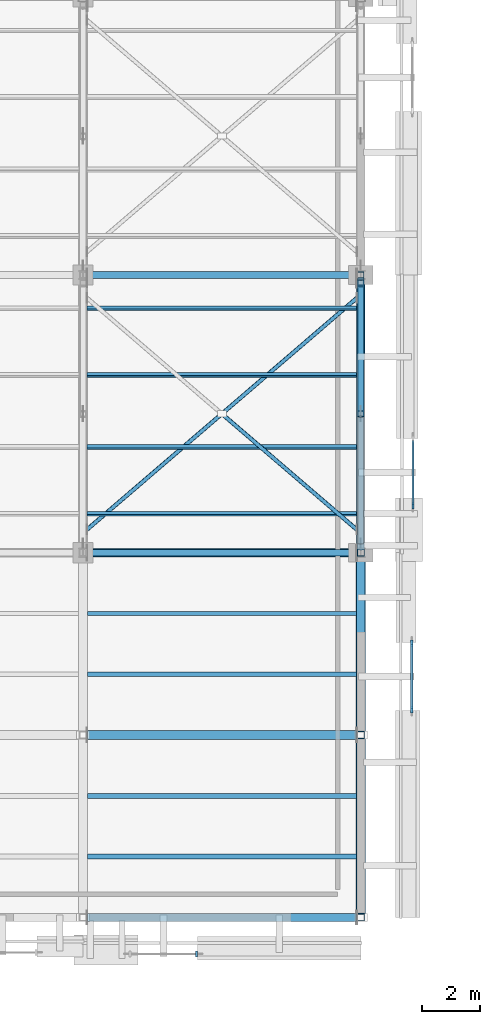
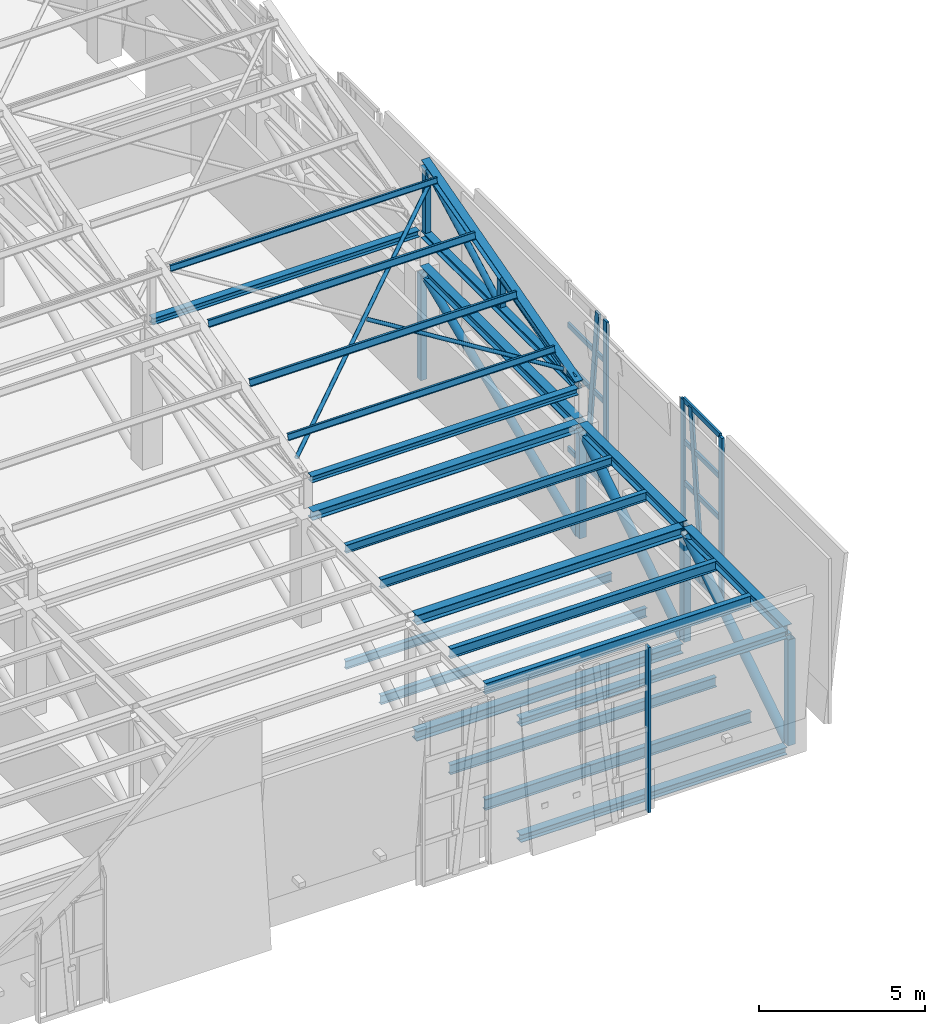
# One storey, part 19 of 71: 37 members, 15 beams, 3 elements without a shape of their own.
"""IFC4 building model written with IfcOpenShell, lengths in metres."""

from ifc_helpers import new_model, si_unit, direction, frame, origin, origin_2d, place, context, subcontext, project, spatial, rectangle, hollow_rectangle, hollow_circle, i_section, extrude, material, layer, layer_set, material_profile, profile_set, type_object, element, aggregate, save


model = new_model("IFC4")

# Units and contexts
model_context = context("Model", 3, precision=1e-05, world=origin(), true_north=direction((0.0, 1.0)))
body_context = subcontext(model_context, "Body", "Model", "MODEL_VIEW")
ifc_project = project(units=[si_unit("LENGTHUNIT", "METRE"), si_unit("AREAUNIT", "SQUARE_METRE"), si_unit("VOLUMEUNIT", "CUBIC_METRE"), si_unit("PLANEANGLEUNIT", "RADIAN"), si_unit("MASSUNIT", "GRAM", prefix="KILO")], contexts=[model_context])

# Site, building, storey
site_placement = place(None, origin())
site = spatial("IfcSite", under=ifc_project, at=site_placement, CompositionType="ELEMENT")
building_placement = place(site_placement, origin())
building = spatial("IfcBuilding", under=site, at=building_placement, Name="Bempovik Park Faculty of Sciences", CompositionType="ELEMENT")
storey_placement = place(building_placement, frame((0.0, 0.0, 14.10009765625)))
storey = spatial("IfcBuildingStorey", under=building, at=storey_placement, Name="L03", CompositionType="ELEMENT", Elevation=14.10009765625)

# Beams
ifc_material_1 = material(Name="Steel S355", Category="steel")
ifc_material_profile_1 = material_profile(ifc_material_1, i_section(OverallWidth=0.300048828125, OverallDepth=0.320068359375, WebThickness=0.011474609375, FlangeThickness=0.0205078125, at=origin_2d()), Name="HEB 320")
ifc_profile_set_1 = profile_set([ifc_material_profile_1], Name="Steel S355")
beam_type_1 = type_object("IfcBeamType", Name="B-018 HEB 320", PredefinedType="BEAM", material=ifc_profile_set_1)
beam_placement = place(storey_placement, frame((108.156005859375, 19.800048828125, 3.81982421875), z_axis=(1.0, 0.0, 0.0), x_axis=(0.0, 1.0, 0.0)))
element("IfcBeam", 1, at=beam_placement, inside=storey, type_object=beam_type_1, Name="Cantilever Collector Beam APR (108.0-117.6, y=19.8)", PredefinedType="BEAM", context=body_context, shape_type="SweptSolid", body=[
    extrude(i_section(OverallWidth=0.300048828125, OverallDepth=0.320068359375, WebThickness=0.011474609375, FlangeThickness=0.0205078125, at=origin_2d()), origin(), (0.0, 0.0, 1.0), 9.2880859375),
])
ifc_material_profile_2 = material_profile(ifc_material_1, i_section(OverallWidth=0.239990234375, OverallDepth=0.239990234375, WebThickness=0.010009765625, FlangeThickness=0.01708984375, at=origin_2d()), Name="HEB 240")
ifc_profile_set_2 = profile_set([ifc_material_profile_2], Name="Steel S355")
beam_type_2 = type_object("IfcBeamType", Name="B-042 HEB 240", PredefinedType="BEAM", material=ifc_profile_set_2)
for number, where, z_axis, x_axis, name in (
    (2, (108.14990234375, 19.800048828125, 5.14990234375), (1.0, 0.0, 0.0), (0.0, 1.0, 0.0), "Sawtooth Valley Tie Beam V1-B1 (108.0-117.6)"),
    (3, (108.14990234375, 29.39990234375, 5.14990234375), (1.0, 0.0, 0.0), (0.0, 1.0, 0.0), "Sawtooth Valley Tie Beam V1-B2 (108.0-117.6)"),
):
    element("IfcBeam", number, at=place(storey_placement, frame(where, z_axis=z_axis, x_axis=x_axis)), inside=storey, type_object=beam_type_2, Name=name, PredefinedType="BEAM", context=body_context, shape_type="SweptSolid", body=[
        extrude(i_section(OverallWidth=0.239990234375, OverallDepth=0.239990234375, WebThickness=0.010009765625, FlangeThickness=0.01708984375, at=origin_2d()), origin(), (0.0, 0.0, 1.0), 9.300048828125),
    ])
ifc_material_profile_3 = material_profile(ifc_material_1, i_section(OverallWidth=0.14990234375, OverallDepth=0.300048828125, WebThickness=0.007080078125, FlangeThickness=0.0107421875, at=origin_2d()), Name="IPE 300")
ifc_profile_set_3 = profile_set([ifc_material_profile_3], Name="Steel S355")
beam_type_3 = type_object("IfcBeamType", Name="B-043 IPE 300", PredefinedType="JOIST", material=ifc_profile_set_3)
for number, where, z_axis, x_axis, name in (
    (4, (108.156005859375, 17.699951171875, -0.4501953125), (1.0, 0.0, 0.0), (0.0, 1.0, 0.0), "Cantilever Floor Joist L03 (108.0-117.6, y=17.7)"),
    (5, (108.156005859375, 17.699951171875, 3.829833984375), (1.0, 0.0, 0.0), (0.0, 1.0, 0.0), "Cantilever Floor Joist APR (108.0-117.6, y=17.7)"),
):
    element("IfcBeam", number, at=place(storey_placement, frame(where, z_axis=z_axis, x_axis=x_axis)), inside=storey, type_object=beam_type_3, Name=name, PredefinedType="JOIST", context=body_context, shape_type="SweptSolid", body=[
        extrude(i_section(OverallWidth=0.14990234375, OverallDepth=0.300048828125, WebThickness=0.007080078125, FlangeThickness=0.0107421875, at=origin_2d()), origin(), (0.0, 0.0, 1.0), 9.2880859375),
    ])
ifc_material_profile_4 = material_profile(ifc_material_1, i_section(OverallWidth=0.300048828125, OverallDepth=0.360107421875, WebThickness=0.012451171875, FlangeThickness=0.0224609375, at=origin_2d()), Name="HEB 360")
ifc_profile_set_4 = profile_set([ifc_material_profile_4], Name="Steel S355")
beam_type_4 = type_object("IfcBeamType", Name="B-102 HEB 360", PredefinedType="BEAM", material=ifc_profile_set_4)
for number, where, z_axis, x_axis, name in (
    (6, (108.156005859375, 13.5, -0.47998046875), (1.0, 0.0, 0.0), (0.0, 1.0, 0.0), "Cantilever Collector Beam L03 (108.0-117.6, y=13.5)"),
    (7, (108.156005859375, 13.5, 3.7998046875), (1.0, 0.0, 0.0), (0.0, 1.0, 0.0), "Cantilever Collector Beam APR (108.0-117.6, y=13.5)"),
):
    element("IfcBeam", number, at=place(storey_placement, frame(where, z_axis=z_axis, x_axis=x_axis)), inside=storey, type_object=beam_type_4, Name=name, PredefinedType="BEAM", context=body_context, shape_type="SweptSolid", body=[
        extrude(i_section(OverallWidth=0.300048828125, OverallDepth=0.360107421875, WebThickness=0.012451171875, FlangeThickness=0.0224609375, at=origin_2d()), origin(), (0.0, 0.0, 1.0), 9.2880859375),
    ])
ifc_material_profile_5 = material_profile(ifc_material_1, i_section(OverallWidth=0.169921875, OverallDepth=0.360107421875, WebThickness=0.008056640625, FlangeThickness=0.0126953125, at=origin_2d()), Name="IPE 360")
ifc_profile_set_5 = profile_set([ifc_material_profile_5], Name="Steel S355")
beam_type_5 = type_object("IfcBeamType", Name="B-103 IPE 360", PredefinedType="JOIST", material=ifc_profile_set_5)
for number, where, z_axis, x_axis, name in (
    (8, (108.156005859375, 11.39990234375, -0.47998046875), (1.0, 0.0, 0.0), (0.0, 1.0, 0.0), "Cantilever Floor Joist L03 (108.0-117.6, y=11.4)"),
    (9, (108.156005859375, 11.39990234375, 3.7998046875), (1.0, 0.0, 0.0), (0.0, 1.0, 0.0), "Cantilever Floor Joist APR (108.0-117.6, y=11.4)"),
):
    element("IfcBeam", number, at=place(storey_placement, frame(where, z_axis=z_axis, x_axis=x_axis)), inside=storey, type_object=beam_type_5, Name=name, PredefinedType="JOIST", context=body_context, shape_type="SweptSolid", body=[
        extrude(i_section(OverallWidth=0.169921875, OverallDepth=0.360107421875, WebThickness=0.008056640625, FlangeThickness=0.0126953125, at=origin_2d()), origin(), (0.0, 0.0, 1.0), 9.2880859375),
    ])
ifc_material_profile_6 = material_profile(ifc_material_1, i_section(OverallWidth=0.179931640625, OverallDepth=0.39990234375, WebThickness=0.008544921875, FlangeThickness=0.013427734375, at=origin_2d()), Name="IPE 400")
ifc_profile_set_6 = profile_set([ifc_material_profile_6], Name="Steel S355")
beam_type_6 = type_object("IfcBeamType", Name="B-111 IPE 400", PredefinedType="BEAM", material=ifc_profile_set_6)
for number, where, z_axis, x_axis, name in (
    (10, (108.156005859375, 9.300048828125, -0.5), (1.0, 0.0, 0.0), (0.0, 1.0, 0.0), "Cantilever Floor Joist L03 (108.0-117.6, y=9.3)"),
    (11, (108.156005859375, 9.300048828125, 3.77978515625), (1.0, 0.0, 0.0), (0.0, 1.0, 0.0), "Cantilever Floor Joist APR (108.0-117.6, y=9.3)"),
):
    element("IfcBeam", number, at=place(storey_placement, frame(where, z_axis=z_axis, x_axis=x_axis)), inside=storey, type_object=beam_type_6, Name=name, PredefinedType="BEAM", context=body_context, shape_type="SweptSolid", body=[
        extrude(i_section(OverallWidth=0.179931640625, OverallDepth=0.39990234375, WebThickness=0.008544921875, FlangeThickness=0.013427734375, at=origin_2d()), origin(), (0.0, 0.0, 1.0), 9.2880859375),
    ])
ifc_material_profile_7 = material_profile(ifc_material_1, i_section(OverallWidth=0.280029296875, OverallDepth=0.280029296875, WebThickness=0.010498046875, FlangeThickness=0.01806640625, at=origin_2d()), Name="HEB 280")
ifc_profile_set_7 = profile_set([ifc_material_profile_7], Name="Steel S355")
beam_type_7 = type_object("IfcBeamType", Name="B-119 HEB 280", PredefinedType="SPANDREL", material=ifc_profile_set_7)
for number, where, z_axis, x_axis, name in (
    (12, (108.156005859375, 7.199951171875, -0.440185546875), (1.0, 0.0, 0.0), (0.0, 1.0, 0.0), "Cantilever Collector Beam L03 (108.0-117.6, y=7.2)"),
    (13, (108.156005859375, 7.199951171875, 3.83984375), (1.0, 0.0, 0.0), (0.0, 1.0, 0.0), "Cantilever Collector Beam APR (108.0-117.6, y=7.2)"),
):
    element("IfcBeam", number, at=place(storey_placement, frame(where, z_axis=z_axis, x_axis=x_axis)), inside=storey, type_object=beam_type_7, Name=name, PredefinedType="SPANDREL", context=body_context, shape_type="SweptSolid", body=[
        extrude(i_section(OverallWidth=0.280029296875, OverallDepth=0.280029296875, WebThickness=0.010498046875, FlangeThickness=0.01806640625, at=origin_2d()), origin(), (0.0, 0.0, 1.0), 9.2880859375),
    ])
ifc_material_profile_8 = material_profile(ifc_material_1, i_section(OverallWidth=0.159912109375, OverallDepth=0.330078125, WebThickness=0.007568359375, FlangeThickness=0.011474609375, at=origin_2d()), Name="IPE 330")
ifc_profile_set_8 = profile_set([ifc_material_profile_8], Name="Steel S355")
beam_type_8 = type_object("IfcBeamType", Name="B-126 IPE 330", PredefinedType="BEAM", material=ifc_profile_set_8)
for number, where, z_axis, x_axis, name in (
    (14, (108.156005859375, 15.60009765625, -0.465087890625), (1.0, 0.0, 0.0), (0.0, 1.0, 0.0), "Cantilever Floor Joist L03 (108.0-117.6, y=15.6)"),
    (15, (108.156005859375, 15.60009765625, 3.81494140625), (1.0, 0.0, 0.0), (0.0, 1.0, 0.0), "Cantilever Floor Joist APR (108.0-117.6, y=15.6)"),
):
    element("IfcBeam", number, at=place(storey_placement, frame(where, z_axis=z_axis, x_axis=x_axis)), inside=storey, type_object=beam_type_8, Name=name, PredefinedType="BEAM", context=body_context, shape_type="SweptSolid", body=[
        extrude(i_section(OverallWidth=0.159912109375, OverallDepth=0.330078125, WebThickness=0.007568359375, FlangeThickness=0.011474609375, at=origin_2d()), origin(), (0.0, 0.0, 1.0), 9.2880859375),
    ])

# Members
ifc_material_profile_9 = material_profile(ifc_material_1, i_section(OverallWidth=0.110107421875, OverallDepth=0.219970703125, WebThickness=0.005859375, FlangeThickness=0.00927734375, at=origin_2d()), Name="IPE 220")
ifc_profile_set_9 = profile_set([ifc_material_profile_9], Name="Steel S355")
member_type_1 = type_object("IfcMemberType", Name="M-18 IPE 220", PredefinedType="PURLIN", material=ifc_profile_set_9)
member_1_placement = place(storey_placement, frame((108.14599609375, 21.14404296875, 5.847412109375), z_axis=(1.0, 0.0, 0.0), x_axis=(0.0, 0.965925826289, -0.258819045103)))
element("IfcMember", 16, at=member_1_placement, inside=storey, type_object=member_type_1, Name="Sawtooth Roof Purlin V1-B1 (108.0-117.6) #1", PredefinedType="PURLIN", context=body_context, shape_type="SweptSolid", body=[
    extrude(i_section(OverallWidth=0.110107421875, OverallDepth=0.219970703125, WebThickness=0.005859375, FlangeThickness=0.00927734375, at=origin_2d()), origin(), (0.0, 0.0, 1.0), 9.30810546875),
])
ifc_material_profile_10 = material_profile(ifc_material_1, hollow_circle(Radius=0.109619140625, WallThickness=0.010009765625, at=origin_2d()), Name="CHS 219.1x10")
ifc_profile_set_10 = profile_set([ifc_material_profile_10], Name="Steel S355")
member_type_2 = type_object("IfcMemberType", Name="M-22 CHS 219.1x10", PredefinedType="BRACE", material=ifc_profile_set_10)
member_2_placement = place(storey_placement, frame((117.60009765625, 24.705078125, 5.285888671875), z_axis=(0.0, 0.882187464719, 0.470898372361), x_axis=(-1.0, 0.0, 0.0)))
element("IfcMember", 17, at=member_2_placement, inside=storey, type_object=member_type_2, Name="Sawtooth Web Diagonal 2 V1-B1 (117.6)", PredefinedType="BRACE", context=body_context, shape_type="SweptSolid", body=[
    extrude(hollow_circle(Radius=0.109619140625, WallThickness=0.010009765625, at=origin_2d()), origin(), (0.0, 0.0, 1.0), 4.902587890625),
])
ifc_material_profile_11 = material_profile(ifc_material_1, i_section(OverallWidth=0.300048828125, OverallDepth=0.360107421875, WebThickness=0.012451171875, FlangeThickness=0.0224609375, at=origin_2d()), Name="HEB 360")
ifc_profile_set_11 = profile_set([ifc_material_profile_11], Name="Steel S355")
member_type_3 = type_object("IfcMemberType", Name="M-23 HEB 360", PredefinedType="CHORD", material=ifc_profile_set_11)
for number, where, z_axis, x_axis, name in (
    (18, (117.60009765625, 7.33203125, 3.7998046875), (0.0, 1.0, 0.0), (-1.0, 0.0, 0.0), "Cantilever Truss 7 Top Chord 1"),
    (19, (117.60009765625, 13.632080078125, 3.7998046875), (0.0, 1.0, 0.0), (-1.0, 0.0, 0.0), "Cantilever Truss 7 Top Chord 2"),
):
    element("IfcMember", number, at=place(storey_placement, frame(where, z_axis=z_axis, x_axis=x_axis)), inside=storey, type_object=member_type_3, Name=name, PredefinedType="CHORD", context=body_context, shape_type="SweptSolid", body=[
        extrude(i_section(OverallWidth=0.300048828125, OverallDepth=0.360107421875, WebThickness=0.012451171875, FlangeThickness=0.0224609375, at=origin_2d()), origin(), (0.0, 0.0, 1.0), 6.035888671875),
    ])
member_3_placement = place(storey_placement, frame((117.60009765625, 19.931884765625, 3.7998046875), z_axis=(0.0, 1.0, 0.0), x_axis=(-1.0, 0.0, 0.0)))
element("IfcMember", 20, at=member_3_placement, inside=storey, type_object=member_type_3, Name="Cantilever Truss 7 Top Chord 3", PredefinedType="CHORD", context=body_context, shape_type="SweptSolid", body=[
    extrude(i_section(OverallWidth=0.300048828125, OverallDepth=0.360107421875, WebThickness=0.012451171875, FlangeThickness=0.0224609375, at=origin_2d()), origin(), (0.0, 0.0, 1.0), 9.336181640625),
])
ifc_material_profile_12 = material_profile(ifc_material_1, i_section(OverallWidth=0.280029296875, OverallDepth=0.280029296875, WebThickness=0.010498046875, FlangeThickness=0.01806640625, at=origin_2d()), Name="HEB 280")
ifc_profile_set_12 = profile_set([ifc_material_profile_12], Name="Steel S355")
member_type_4 = type_object("IfcMemberType", Name="M-26 HEB 280", PredefinedType="CHORD", material=ifc_profile_set_12)
member_4_placement = place(storey_placement, frame((117.60009765625, 19.9560546875, 5.212158203125), z_axis=(0.0, 0.963723405845, 0.266902973056), x_axis=(-1.0, 0.0, 0.0)))
element("IfcMember", 21, at=member_4_placement, inside=storey, type_object=member_type_4, Name="Sawtooth Top Rafter Chord V1-B1 (117.6)", PredefinedType="CHORD", context=body_context, shape_type="SweptSolid", body=[
    extrude(i_section(OverallWidth=0.280029296875, OverallDepth=0.280029296875, WebThickness=0.010498046875, FlangeThickness=0.01806640625, at=origin_2d()), origin(), (0.0, 0.0, 1.0), 9.637451171875),
])
ifc_material_profile_13 = material_profile(ifc_material_1, hollow_rectangle(XDim=0.219970703125, YDim=0.219970703125, WallThickness=0.010009765625, at=origin_2d()), Name="SHS 220x220x10")
ifc_profile_set_13 = profile_set([ifc_material_profile_13], Name="Steel S355")
member_type_5 = type_object("IfcMemberType", Name="M-32 SHS 220x220x10", PredefinedType="POST", material=ifc_profile_set_13)
member_5_placement = place(storey_placement, frame((117.60009765625, 29.39990234375, -0.294189453125), z_axis=(0.0, 0.0, 1.0), x_axis=(1.0, 0.0, 0.0)))
element("IfcMember", 22, at=member_5_placement, inside=storey, type_object=member_type_5, Name="Cantilever Truss 7 L03 Post 4", PredefinedType="POST", context=body_context, shape_type="SweptSolid", body=[
    extrude(hollow_rectangle(XDim=0.219970703125, YDim=0.219970703125, WallThickness=0.010009765625, at=origin_2d()), origin(), (0.0, 0.0, 1.0), 3.908203125),
])
ifc_material_profile_14 = material_profile(ifc_material_1, hollow_circle(Radius=0.161865234375, WallThickness=0.01611328125, at=origin_2d()), Name="CHS 323.9x16")
ifc_profile_set_14 = profile_set([ifc_material_profile_14], Name="Steel S355")
member_type_6 = type_object("IfcMemberType", Name="M-38 CHS 323.9x16", PredefinedType="BRACE", material=ifc_profile_set_14)
for number, where, z_axis, x_axis, name in (
    (23, (117.60009765625, 7.3349609375, -0.294189453125), (0.0, 0.83916246283, 0.543880833434), (-1.0, 0.0, 0.0), "Cantilever Truss 7 L03 Diagonal 1"),
    (24, (117.60009765625, 13.635009765625, -0.294189453125), (0.0, 0.83916246283, 0.543880833434), (-1.0, 0.0, 0.0), "Cantilever Truss 7 L03 Diagonal 2"),
):
    element("IfcMember", number, at=place(storey_placement, frame(where, z_axis=z_axis, x_axis=x_axis)), inside=storey, type_object=member_type_6, Name=name, PredefinedType="BRACE", context=body_context, shape_type="SweptSolid", body=[
        extrude(hollow_circle(Radius=0.161865234375, WallThickness=0.01611328125, at=origin_2d()), origin(), (0.0, 0.0, 1.0), 7.185791015625),
    ])
ifc_material_profile_15 = material_profile(ifc_material_1, hollow_rectangle(XDim=0.199951171875, YDim=0.199951171875, WallThickness=0.010009765625, at=origin_2d()), Name="SHS 200x200x10")
ifc_profile_set_15 = profile_set([ifc_material_profile_15], Name="Steel S355")
member_type_7 = type_object("IfcMemberType", Name="M-44 SHS 200x200x10", PredefinedType="POST", material=ifc_profile_set_15)
member_6_placement = place(storey_placement, frame((117.60009765625, 29.1298828125, 5.285888671875), z_axis=(0.0, 0.0, 1.0), x_axis=(1.0, 0.0, 0.0)))
element("IfcMember", 25, at=member_6_placement, inside=storey, type_object=member_type_7, Name="Sawtooth North-Light Post V1-B1 (117.6)", PredefinedType="POST", context=body_context, shape_type="SweptSolid", body=[
    extrude(hollow_rectangle(XDim=0.199951171875, YDim=0.199951171875, WallThickness=0.010009765625, at=origin_2d()), origin(), (0.0, 0.0, 1.0), 2.30859375),
])
member_7_placement = place(storey_placement, frame((117.60009765625, 24.60009765625, 5.285888671875), z_axis=(0.0, 0.0, 1.0), x_axis=(1.0, 0.0, 0.0)))
element("IfcMember", 26, at=member_7_placement, inside=storey, type_object=member_type_7, Name="Sawtooth Mid Post V1-B1 (117.6)", PredefinedType="POST", context=body_context, shape_type="SweptSolid", body=[
    extrude(hollow_rectangle(XDim=0.199951171875, YDim=0.199951171875, WallThickness=0.010009765625, at=origin_2d()), origin(), (0.0, 0.0, 1.0), 1.052490234375),
])
ifc_material_profile_16 = material_profile(ifc_material_1, i_section(OverallWidth=0.10009765625, OverallDepth=0.199951171875, WebThickness=0.005615234375, FlangeThickness=0.008544921875, at=origin_2d()), Name="IPE 200")
ifc_profile_set_16 = profile_set([ifc_material_profile_16], Name="Steel S355")
member_type_8 = type_object("IfcMemberType", Name="M-48 IPE 200", PredefinedType="PURLIN", material=ifc_profile_set_16)
member_8_placement = place(storey_placement, frame((108.14599609375, 28.248046875, 7.7607421875), z_axis=(1.0, 0.0, 0.0), x_axis=(0.0, 0.965925826289, -0.258819045103)))
element("IfcMember", 27, at=member_8_placement, inside=storey, type_object=member_type_8, Name="Sawtooth Roof Purlin V1-B1 (108.0-117.6) #4", PredefinedType="PURLIN", context=body_context, shape_type="SweptSolid", body=[
    extrude(i_section(OverallWidth=0.10009765625, OverallDepth=0.199951171875, WebThickness=0.005615234375, FlangeThickness=0.008544921875, at=origin_2d()), origin(), (0.0, 0.0, 1.0), 9.30810546875),
])
ifc_material_profile_17 = material_profile(ifc_material_1, i_section(OverallWidth=0.260009765625, OverallDepth=0.260009765625, WebThickness=0.010009765625, FlangeThickness=0.017578125, at=origin_2d()), Name="HEB 260")
ifc_profile_set_17 = profile_set([ifc_material_profile_17], Name="Steel S355")
member_type_9 = type_object("IfcMemberType", Name="M-58 HEB 260", PredefinedType="CHORD", material=ifc_profile_set_17)
member_9_placement = place(storey_placement, frame((117.60009765625, 19.9560546875, 5.14990234375), z_axis=(0.0, 1.0, 0.0), x_axis=(-1.0, 0.0, 0.0)))
element("IfcMember", 28, at=member_9_placement, inside=storey, type_object=member_type_9, Name="Sawtooth Bottom Chord V1-B1 (117.6)", PredefinedType="CHORD", context=body_context, shape_type="SweptSolid", body=[
    extrude(i_section(OverallWidth=0.260009765625, OverallDepth=0.260009765625, WebThickness=0.010009765625, FlangeThickness=0.017578125, at=origin_2d()), origin(), (0.0, 0.0, 1.0), 9.287841796875),
])
ifc_material_profile_18 = material_profile(ifc_material_1, hollow_rectangle(XDim=0.25, YDim=0.25, WallThickness=0.012451171875, at=origin_2d()), Name="SHS 250x250x12.5")
ifc_profile_set_18 = profile_set([ifc_material_profile_18], Name="Steel S355")
member_type_10 = type_object("IfcMemberType", Name="M-64 SHS 250x250x12.5", PredefinedType="POST", material=ifc_profile_set_18)
for number, where, z_axis, x_axis, name in (
    (29, (117.60009765625, 7.199951171875, -0.294189453125), (0.0, 0.0, 1.0), (1.0, 0.0, 0.0), "Cantilever Truss 7 L03 Post 1"),
    (30, (117.60009765625, 13.5, -0.294189453125), (0.0, 0.0, 1.0), (1.0, 0.0, 0.0), "Cantilever Truss 7 L03 Post 2"),
    (31, (117.60009765625, 19.800048828125, -0.294189453125), (0.0, 0.0, 1.0), (1.0, 0.0, 0.0), "Cantilever Truss 7 L03 Post 3"),
):
    element("IfcMember", number, at=place(storey_placement, frame(where, z_axis=z_axis, x_axis=x_axis)), inside=storey, type_object=member_type_10, Name=name, PredefinedType="POST", context=body_context, shape_type="SweptSolid", body=[
        extrude(hollow_rectangle(XDim=0.25, YDim=0.25, WallThickness=0.012451171875, at=origin_2d()), origin(), (0.0, 0.0, 1.0), 3.908203125),
    ])
ifc_material_profile_19 = material_profile(ifc_material_1, hollow_circle(Radius=0.136474609375, WallThickness=0.012451171875, at=origin_2d()), Name="CHS 273x12.5")
ifc_profile_set_19 = profile_set([ifc_material_profile_19], Name="Steel S355")
member_type_11 = type_object("IfcMemberType", Name="M-78 CHS 273x12.5", PredefinedType="BRACE", material=ifc_profile_set_19)
member_10_placement = place(storey_placement, frame((117.60009765625, 19.93505859375, -0.294189453125), z_axis=(0.0, 0.922346194813, 0.386364461247), x_axis=(-1.0, 0.0, 0.0)))
element("IfcMember", 32, at=member_10_placement, inside=storey, type_object=member_type_11, Name="Cantilever Truss 7 L03 Diagonal 3", PredefinedType="BRACE", context=body_context, shape_type="SweptSolid", body=[
    extrude(hollow_circle(Radius=0.136474609375, WallThickness=0.012451171875, at=origin_2d()), origin(), (0.0, 0.0, 1.0), 10.115234375),
])
ifc_material_profile_20 = material_profile(ifc_material_1, hollow_circle(Radius=0.122314453125, WallThickness=0.010009765625, at=origin_2d()), Name="CHS 244.5x10")
ifc_profile_set_20 = profile_set([ifc_material_profile_20], Name="Steel S355")
member_type_12 = type_object("IfcMemberType", Name="M-82 CHS 244.5x10", PredefinedType="BRACE", material=ifc_profile_set_20)
member_11_placement = place(storey_placement, frame((117.60009765625, 20.1298828125, 5.285888671875), z_axis=(0.0, 0.972142472623, 0.23439072704), x_axis=(-1.0, 0.0, 0.0)))
element("IfcMember", 33, at=member_11_placement, inside=storey, type_object=member_type_12, Name="Sawtooth Web Diagonal 1 V1-B1 (117.6)", PredefinedType="BRACE", context=body_context, shape_type="SweptSolid", body=[
    extrude(hollow_circle(Radius=0.122314453125, WallThickness=0.010009765625, at=origin_2d()), origin(), (0.0, 0.0, 1.0), 4.490234375),
])
ifc_material_profile_21 = material_profile(ifc_material_1, hollow_circle(Radius=0.06982421875, WallThickness=0.00634765625, at=origin_2d()), Name="CHS 139.7x6.3")
ifc_profile_set_21 = profile_set([ifc_material_profile_21], Name="Steel S355")
member_type_13 = type_object("IfcMemberType", Name="M-83 CHS 139.7x6.3", PredefinedType="BRACE", material=ifc_profile_set_21)
member_12_placement = place(storey_placement, frame((108.139892578125, 20.60009765625, 5.426513671875), z_axis=(0.747498624674, 0.641625014625, 0.171939369306), x_axis=(-0.651324847863, 0.758799013281, 0.0)))
element("IfcMember", 34, at=member_12_placement, inside=storey, type_object=member_type_13, Name="Sawtooth Continuous Roof X-Brace V1-B1 (108.0-117.6)", PredefinedType="BRACE", context=body_context, shape_type="SweptSolid", body=[
    extrude(hollow_circle(Radius=0.06982421875, WallThickness=0.00634765625, at=origin_2d()), origin(), (0.0, 0.0, 1.0), 12.46826171875),
])
member_13_placement = place(storey_placement, frame((112.8671875, 24.542236328125, 6.48291015625), z_axis=(0.747509216421, -0.641613401953, -0.17193665636), x_axis=(0.65131274657, 0.758809400413, 0.0)))
element("IfcMember", 35, at=member_13_placement, inside=storey, type_object=member_type_13, Name="Sawtooth Split X-Brace Half B V1-B1 (108.0-117.6)", PredefinedType="BRACE", context=body_context, shape_type="SweptSolid", body=[
    extrude(hollow_circle(Radius=0.06982421875, WallThickness=0.00634765625, at=origin_2d()), origin(), (0.0, 0.0, 1.0), 6.14404296875),
])
ifc_material_profile_22 = material_profile(ifc_material_1, i_section(OverallWidth=0.1201171875, OverallDepth=0.239990234375, WebThickness=0.006103515625, FlangeThickness=0.009765625, at=origin_2d()), Name="IPE 240")
ifc_profile_set_22 = profile_set([ifc_material_profile_22], Name="Steel S355")
member_type_14 = type_object("IfcMemberType", Name="M-86 IPE 240", PredefinedType="PURLIN", material=ifc_profile_set_22)
for number, where, z_axis, x_axis, name in (
    (36, (108.14599609375, 23.447998046875, 6.45458984375), (1.0, 0.0, 0.0), (0.0, 0.965925826289, -0.258819045103), "Sawtooth Roof Purlin V1-B1 (108.0-117.6) #2"),
    (37, (108.14599609375, 25.944091796875, 7.12353515625), (1.0, 0.0, 0.0), (0.0, 0.965925826289, -0.258819045103), "Sawtooth Roof Purlin V1-B1 (108.0-117.6) #3"),
):
    element("IfcMember", number, at=place(storey_placement, frame(where, z_axis=z_axis, x_axis=x_axis)), inside=storey, type_object=member_type_14, Name=name, PredefinedType="PURLIN", context=body_context, shape_type="SweptSolid", body=[
        extrude(i_section(OverallWidth=0.1201171875, OverallDepth=0.239990234375, WebThickness=0.006103515625, FlangeThickness=0.009765625, at=origin_2d()), origin(), (0.0, 0.0, 1.0), 9.30810546875),
    ])

# Curtain wall, members
ifc_material_2 = material(Name="Tempered laminated low-E glass", Category="glass")
ifc_layer = layer(ifc_material_2, 0.159912109375)
ifc_layer_set = layer_set([ifc_layer], Name="Tempered laminated low-E glass")
curtain_wall_type = type_object("IfcCurtainWallType", Name="CW-33 Curtain 2400x4000", PredefinedType="USERDEFINED", material=ifc_layer_set)
curtain_wall_1_placement = place(storey_placement, origin())
curtain_wall_1 = element("IfcCurtainWall", 38, at=curtain_wall_1_placement, inside=storey, type_object=curtain_wall_type, Name="L03 Crystal Slantwise Light Fold (117.6,7.2)", ObjectType="UNITISED CURTAIN WALL", PredefinedType="USERDEFINED")
ifc_material_3 = material(Name="Anodised architectural bronze", Category="aluminium")
ifc_material_profile_23 = material_profile(ifc_material_3, rectangle(XDim=0.080078125, YDim=0.219970703125, at=origin_2d()), Name="ALU-M 80x220")
ifc_profile_set_23 = profile_set([ifc_material_profile_23], Name="Anodised architectural bronze")
member_type_15 = type_object("IfcMemberType", Name="ML-29 ALU-M 80x220", PredefinedType="MULLION", material=ifc_profile_set_23)
member_14_placement = place(storey_placement, frame((119.360595703125, 14.375, -0.0400390625), z_axis=(0.0, 0.0, 1.0), x_axis=(1.0, 0.0, 0.0)))
member_14 = element("IfcMember", 39, at=member_14_placement, type_object=member_type_15, Name="CW-FOLD-L03-1176-72 Mullion 0", PredefinedType="MULLION", context=body_context, shape_type="SweptSolid", body=[
    extrude(rectangle(XDim=0.080078125, YDim=0.219970703125, at=origin_2d()), origin(), (0.0, 0.0, 1.0), 6.08984375),
])
member_15_placement = place(storey_placement, frame((119.360595703125, 15.52490234375, -0.0400390625), z_axis=(0.0, 0.11099998622, 0.99382040785), x_axis=(-1.0, 0.0, 0.0)))
member_15 = element("IfcMember", 40, at=member_15_placement, type_object=member_type_15, Name="CW-FOLD-L03-1176-72 Mullion 1", PredefinedType="MULLION", context=body_context, shape_type="SweptSolid", body=[
    extrude(rectangle(XDim=0.080078125, YDim=0.219970703125, at=origin_2d()), origin(), (0.0, 0.0, 1.0), 6.127685546875),
])
member_16_placement = place(storey_placement, frame((119.360595703125, 16.675048828125, -0.0400390625), z_axis=(0.0, 0.0, 1.0), x_axis=(1.0, 0.0, 0.0)))
member_16 = element("IfcMember", 41, at=member_16_placement, type_object=member_type_15, Name="CW-FOLD-L03-1176-72 Mullion 2", PredefinedType="MULLION", context=body_context, shape_type="SweptSolid", body=[
    extrude(rectangle(XDim=0.080078125, YDim=0.219970703125, at=origin_2d()), origin(), (0.0, 0.0, 1.0), 6.08984375),
])

curtain_wall_2_placement = place(storey_placement, origin())
curtain_wall_2 = element("IfcCurtainWall", 42, at=curtain_wall_2_placement, inside=storey, type_object=curtain_wall_type, Name="L03 Crystal Slantwise Light Fold (117.6,19.8)", ObjectType="UNITISED CURTAIN WALL", PredefinedType="USERDEFINED")
member_17_placement = place(storey_placement, frame((119.402587890625, 21.425048828125, -0.0400390625), z_axis=(0.0, 0.0, 1.0), x_axis=(1.0, 0.0, 0.0)))
member_17 = element("IfcMember", 43, at=member_17_placement, type_object=member_type_15, Name="CW-FOLD-L03-1176-198 Mullion 0", PredefinedType="MULLION", context=body_context, shape_type="SweptSolid", body=[
    extrude(rectangle(XDim=0.080078125, YDim=0.219970703125, at=origin_2d()), origin(), (0.0, 0.0, 1.0), 6.08984375),
])
member_18_placement = place(storey_placement, frame((119.402587890625, 22.574951171875, -0.0400390625), z_axis=(0.0, -0.11096063479, 0.99382480223), x_axis=(1.0, 0.0, 0.0)))
member_18 = element("IfcMember", 44, at=member_18_placement, type_object=member_type_15, Name="CW-FOLD-L03-1176-198 Mullion 1", PredefinedType="MULLION", context=body_context, shape_type="SweptSolid", body=[
    extrude(rectangle(XDim=0.080078125, YDim=0.219970703125, at=origin_2d()), origin(), (0.0, 0.0, 1.0), 6.127685546875),
])

# Curtain wall, member
curtain_wall_3_placement = place(storey_placement, origin())
curtain_wall_3 = element("IfcCurtainWall", 45, at=curtain_wall_3_placement, inside=storey, type_object=curtain_wall_type, Name="L03 Crystal Slantwise Light Fold (7.2,108.0)", ObjectType="UNITISED CURTAIN WALL", PredefinedType="USERDEFINED")
member_19_placement = place(storey_placement, frame((111.925048828125, 5.935302734375, -0.0400390625), z_axis=(0.0, 0.0, 1.0), x_axis=(1.0, 0.0, 0.0)))
member_19 = element("IfcMember", 46, at=member_19_placement, type_object=member_type_15, Name="CW-FOLD-L03-72-1080 Mullion 2", PredefinedType="MULLION", context=body_context, shape_type="SweptSolid", body=[
    extrude(rectangle(XDim=0.080078125, YDim=0.219970703125, at=origin_2d()), origin(), (0.0, 0.0, 1.0), 6.08984375),
])
aggregate(curtain_wall_3, [member_19])

# Member
ifc_material_profile_24 = material_profile(ifc_material_3, rectangle(XDim=0.080078125, YDim=0.179931640625, at=origin_2d()), Name="ALU-T 80x180")
ifc_profile_set_24 = profile_set([ifc_material_profile_24], Name="Anodised architectural bronze")
member_type_16 = type_object("IfcMemberType", Name="TR-29 ALU-T 80x180", PredefinedType="USERDEFINED", material=ifc_profile_set_24)
member_20_placement = place(storey_placement, frame((119.360595703125, 14.4150390625, -0.0400390625), z_axis=(0.0, 1.0, 0.0), x_axis=(-1.0, 0.0, 0.0)))
member_20 = element("IfcMember", 47, at=member_20_placement, type_object=member_type_16, Name="CW-FOLD-L03-1176-72 Transom 0", ObjectType="TRANSOM", PredefinedType="USERDEFINED", context=body_context, shape_type="SweptSolid", body=[
    extrude(rectangle(XDim=0.080078125, YDim=0.179931640625, at=origin_2d()), origin(), (0.0, 0.0, 1.0), 2.219970703125),
])

member_21_placement = place(storey_placement, frame((119.360595703125, 14.4150390625, 1.482421875), z_axis=(0.0, 1.0, 0.0), x_axis=(-1.0, 0.0, 0.0)))
member_21 = element("IfcMember", 48, at=member_21_placement, type_object=member_type_16, Name="CW-FOLD-L03-1176-72 Transom 1", ObjectType="TRANSOM", PredefinedType="USERDEFINED", context=body_context, shape_type="SweptSolid", body=[
    extrude(rectangle(XDim=0.080078125, YDim=0.179931640625, at=origin_2d()), origin(), (0.0, 0.0, 1.0), 2.219970703125),
])

member_22_placement = place(storey_placement, frame((119.360595703125, 14.4150390625, 3.0048828125), z_axis=(0.0, 1.0, 0.0), x_axis=(-1.0, 0.0, 0.0)))
member_22 = element("IfcMember", 49, at=member_22_placement, type_object=member_type_16, Name="CW-FOLD-L03-1176-72 Transom 2", ObjectType="TRANSOM", PredefinedType="USERDEFINED", context=body_context, shape_type="SweptSolid", body=[
    extrude(rectangle(XDim=0.080078125, YDim=0.179931640625, at=origin_2d()), origin(), (0.0, 0.0, 1.0), 2.219970703125),
])

member_23_placement = place(storey_placement, frame((119.360595703125, 14.4150390625, 4.52734375), z_axis=(0.0, 1.0, 0.0), x_axis=(-1.0, 0.0, 0.0)))
member_23 = element("IfcMember", 50, at=member_23_placement, type_object=member_type_16, Name="CW-FOLD-L03-1176-72 Transom 3", ObjectType="TRANSOM", PredefinedType="USERDEFINED", context=body_context, shape_type="SweptSolid", body=[
    extrude(rectangle(XDim=0.080078125, YDim=0.179931640625, at=origin_2d()), origin(), (0.0, 0.0, 1.0), 2.219970703125),
])

member_24_placement = place(storey_placement, frame((119.360595703125, 14.4150390625, 6.0498046875), z_axis=(0.0, 1.0, 0.0), x_axis=(-1.0, 0.0, 0.0)))
member_24 = element("IfcMember", 51, at=member_24_placement, type_object=member_type_16, Name="CW-FOLD-L03-1176-72 Transom 4", ObjectType="TRANSOM", PredefinedType="USERDEFINED", context=body_context, shape_type="SweptSolid", body=[
    extrude(rectangle(XDim=0.080078125, YDim=0.179931640625, at=origin_2d()), origin(), (0.0, 0.0, 1.0), 2.219970703125),
])

aggregate(curtain_wall_1, [member_14, member_15, member_16, member_20, member_21, member_22, member_23, member_24])

member_25_placement = place(storey_placement, frame((119.402587890625, 21.465087890625, -0.0400390625), z_axis=(0.0, 1.0, 0.0), x_axis=(-1.0, 0.0, 0.0)))
member_25 = element("IfcMember", 52, at=member_25_placement, type_object=member_type_16, Name="CW-FOLD-L03-1176-198 Transom 0", ObjectType="TRANSOM", PredefinedType="USERDEFINED", context=body_context, shape_type="SweptSolid", body=[
    extrude(rectangle(XDim=0.080078125, YDim=0.179931640625, at=origin_2d()), origin(), (0.0, 0.0, 1.0), 2.219970703125),
])

member_26_placement = place(storey_placement, frame((119.402587890625, 21.465087890625, 1.482421875), z_axis=(0.0, 1.0, 0.0), x_axis=(-1.0, 0.0, 0.0)))
member_26 = element("IfcMember", 53, at=member_26_placement, type_object=member_type_16, Name="CW-FOLD-L03-1176-198 Transom 1", ObjectType="TRANSOM", PredefinedType="USERDEFINED", context=body_context, shape_type="SweptSolid", body=[
    extrude(rectangle(XDim=0.080078125, YDim=0.179931640625, at=origin_2d()), origin(), (0.0, 0.0, 1.0), 2.219970703125),
])

member_27_placement = place(storey_placement, frame((119.402587890625, 21.465087890625, 3.0048828125), z_axis=(0.0, 1.0, 0.0), x_axis=(-1.0, 0.0, 0.0)))
member_27 = element("IfcMember", 54, at=member_27_placement, type_object=member_type_16, Name="CW-FOLD-L03-1176-198 Transom 2", ObjectType="TRANSOM", PredefinedType="USERDEFINED", context=body_context, shape_type="SweptSolid", body=[
    extrude(rectangle(XDim=0.080078125, YDim=0.179931640625, at=origin_2d()), origin(), (0.0, 0.0, 1.0), 2.219970703125),
])

member_28_placement = place(storey_placement, frame((119.402587890625, 21.465087890625, 4.52734375), z_axis=(0.0, 1.0, 0.0), x_axis=(-1.0, 0.0, 0.0)))
member_28 = element("IfcMember", 55, at=member_28_placement, type_object=member_type_16, Name="CW-FOLD-L03-1176-198 Transom 3", ObjectType="TRANSOM", PredefinedType="USERDEFINED", context=body_context, shape_type="SweptSolid", body=[
    extrude(rectangle(XDim=0.080078125, YDim=0.179931640625, at=origin_2d()), origin(), (0.0, 0.0, 1.0), 2.219970703125),
])

aggregate(curtain_wall_2, [member_17, member_18, member_25, member_26, member_27, member_28])

save(model, "model.ifc")
